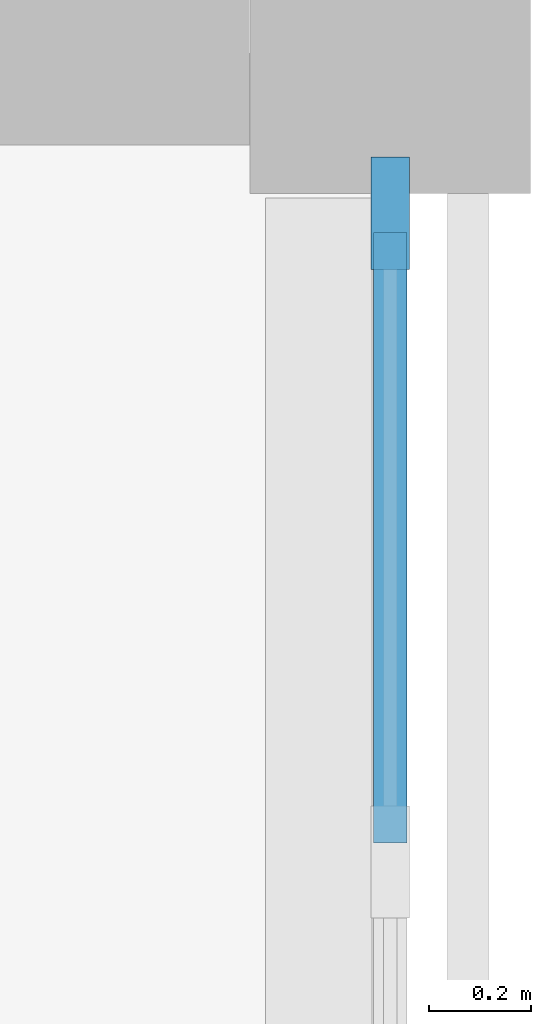
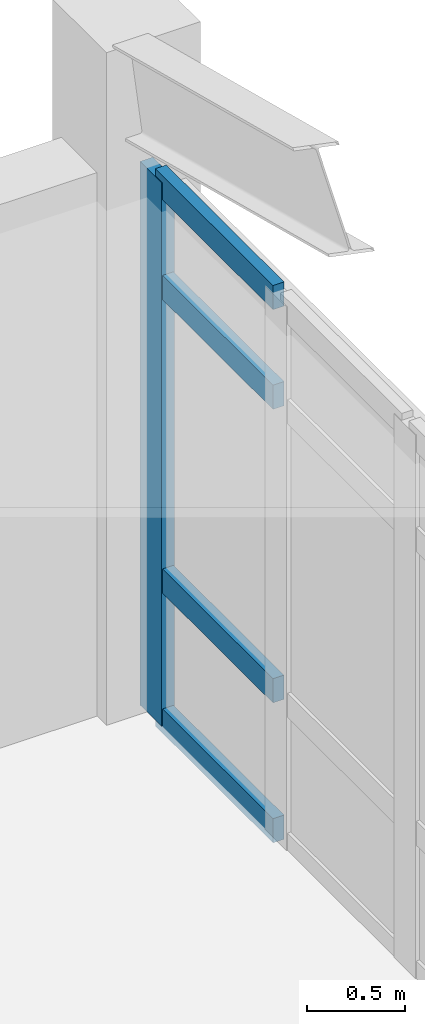
# One storey, part 44 of 74: 5 members, 1 element without a shape of its own.
"""IFC4 building model written with IfcOpenShell, lengths in metres."""

from ifc_helpers import new_model, si_unit, direction, frame, origin, origin_2d, place, context, subcontext, project, spatial, rectangle, extrude, material, layer, layer_set, material_profile, profile_set, type_object, element, aggregate, save


model = new_model("IFC4")

# Units and contexts
model_context = context("Model", 3, precision=1e-05, world=origin(), true_north=direction((0.0, 1.0)))
body_context = subcontext(model_context, "Body", "Model", "MODEL_VIEW")
ifc_project = project(units=[si_unit("LENGTHUNIT", "METRE"), si_unit("AREAUNIT", "SQUARE_METRE"), si_unit("VOLUMEUNIT", "CUBIC_METRE"), si_unit("PLANEANGLEUNIT", "RADIAN"), si_unit("MASSUNIT", "GRAM", prefix="KILO")], contexts=[model_context])

# Site, building, storey
site_placement = place(None, origin())
site = spatial("IfcSite", under=ifc_project, at=site_placement, CompositionType="ELEMENT")
building_placement = place(site_placement, origin())
building = spatial("IfcBuilding", under=site, at=building_placement, Name="Porcellanite Civic Hall", CompositionType="ELEMENT")
storey_placement = place(building_placement, frame((0.0, 0.0, 14.760009765625)))
storey = spatial("IfcBuildingStorey", under=building, at=storey_placement, Name="L03", CompositionType="ELEMENT", Elevation=14.760009765625)

# Curtain wall, members
ifc_material_1 = material(Name="Anodised aluminium and solar laminated glass", Category="aluminium")
ifc_layer = layer(ifc_material_1, 0.179931640625)
ifc_layer_set = layer_set([ifc_layer], Name="Anodised aluminium and solar laminated glass")
curtain_wall_type = type_object("IfcCurtainWallType", Name="CW-SYS02", PredefinedType="NOTDEFINED", material=ifc_layer_set)
curtain_wall_placement = place(storey_placement, origin())
curtain_wall = element("IfcCurtainWall", 1, at=curtain_wall_placement, inside=storey, type_object=curtain_wall_type, Name="Curtain wall CW-228", PredefinedType="NOTDEFINED")
ifc_material_2 = material(Name="Anodised aluminium 6063-T6", Category="aluminium")
ifc_material_profile_1 = material_profile(ifc_material_2, rectangle(XDim=0.074951171875, YDim=0.219970703125, at=origin_2d()), Name="AL-75x220")
ifc_profile_set_1 = profile_set([ifc_material_profile_1], Name="Anodised aluminium 6063-T6")
member_type_1 = type_object("IfcMemberType", Name="CWM-03", PredefinedType="MULLION", material=ifc_profile_set_1)
member_1_placement = place(storey_placement, frame((168.0, 66.886474609375, 0.0), z_axis=(0.0, 0.0, 1.0), x_axis=(1.0, 0.0, 0.0)))
member_1 = element("IfcMember", 2, at=member_1_placement, type_object=member_type_1, Name="CW-228 mullion 1", PredefinedType="MULLION", context=body_context, shape_type="SweptSolid", body=[
    extrude(rectangle(XDim=0.074951171875, YDim=0.219970703125, at=origin_2d()), origin(), (0.0, 0.0, 1.0), 3.369873046875),
])
ifc_material_3 = material(Name="Anodised aluminium 6063-T6", Category="aluminium")
ifc_material_profile_2 = material_profile(ifc_material_3, rectangle(XDim=0.06494140625, YDim=0.14990234375, at=origin_2d()), Name="AL-65x150")
ifc_profile_set_2 = profile_set([ifc_material_profile_2], Name="Anodised aluminium 6063-T6")
member_type_2 = type_object("IfcMemberType", Name="CWT-02", PredefinedType="USERDEFINED", material=ifc_profile_set_2)
member_2_placement = place(storey_placement, frame((168.0, 66.84912109375, 0.032470703125), z_axis=(0.0, -1.0, 0.0), x_axis=(1.0, 0.0, 0.0)))
member_2 = element("IfcMember", 3, at=member_2_placement, type_object=member_type_2, Name="CW-228 transom 1.1", ObjectType="TRANSOM", PredefinedType="USERDEFINED", context=body_context, shape_type="SweptSolid", body=[
    extrude(rectangle(XDim=0.06494140625, YDim=0.14990234375, at=origin_2d()), origin(), (0.0, 0.0, 1.0), 1.195556640625),
])
member_3_placement = place(storey_placement, frame((168.0, 66.84912109375, 0.89990234375), z_axis=(0.0, -1.0, 0.0), x_axis=(1.0, 0.0, 0.0)))
member_3 = element("IfcMember", 4, at=member_3_placement, type_object=member_type_2, Name="CW-228 transom 1.2", ObjectType="TRANSOM", PredefinedType="USERDEFINED", context=body_context, shape_type="SweptSolid", body=[
    extrude(rectangle(XDim=0.06494140625, YDim=0.14990234375, at=origin_2d()), origin(), (0.0, 0.0, 1.0), 1.195556640625),
])
member_4_placement = place(storey_placement, frame((168.0, 66.84912109375, 2.719970703125), z_axis=(0.0, -1.0, 0.0), x_axis=(1.0, 0.0, 0.0)))
member_4 = element("IfcMember", 5, at=member_4_placement, type_object=member_type_2, Name="CW-228 transom 1.3", ObjectType="TRANSOM", PredefinedType="USERDEFINED", context=body_context, shape_type="SweptSolid", body=[
    extrude(rectangle(XDim=0.06494140625, YDim=0.14990234375, at=origin_2d()), origin(), (0.0, 0.0, 1.0), 1.195556640625),
])
member_5_placement = place(storey_placement, frame((168.0, 66.84912109375, 3.33740234375), z_axis=(0.0, -1.0, 0.0), x_axis=(1.0, 0.0, 0.0)))
member_5 = element("IfcMember", 6, at=member_5_placement, type_object=member_type_2, Name="CW-228 transom 1.4", ObjectType="TRANSOM", PredefinedType="USERDEFINED", context=body_context, shape_type="SweptSolid", body=[
    extrude(rectangle(XDim=0.06494140625, YDim=0.14990234375, at=origin_2d()), origin(), (0.0, 0.0, 1.0), 1.195556640625),
])
aggregate(curtain_wall, [member_1, member_2, member_3, member_4, member_5])

save(model, "model.ifc")
